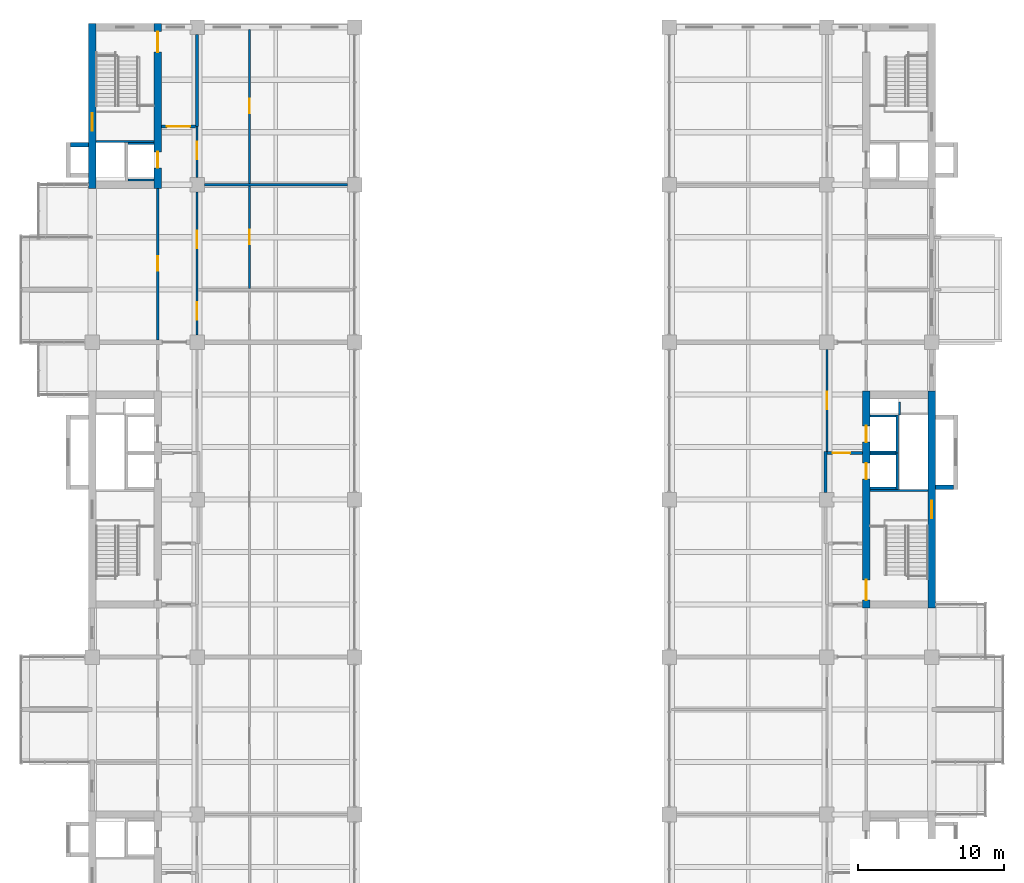
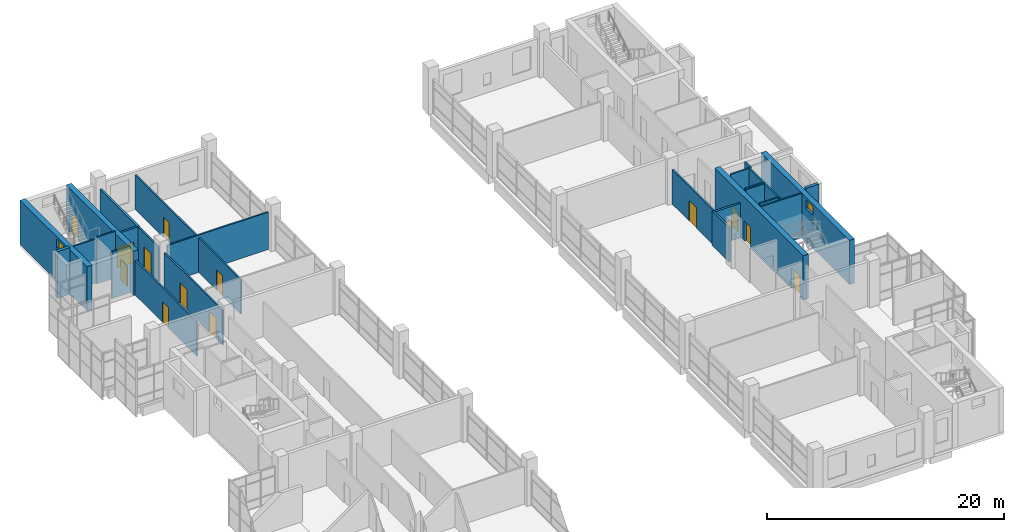
# One storey, part 24 of 30: 28 walls, 14 doors, 2 windows, 16 openings.
"""IFC4 building model written with IfcOpenShell, lengths in metres."""

import ifcopenshell
import ifcopenshell.guid

model = None  # the IFC model being written
_history = None  # IfcOwnerHistory: only IFC2X3 demands one
_inside = {}  # id of a spatial element -> (the spatial element, [elements in it])
_under = {}  # id of a project, library or spatial element -> (it, [spatial elements below it])
_declared = {}  # id of a project -> (the project, [libraries it declares])
_typed = {}  # id of a type object -> (the type object, [elements of that type])
_made_of = {}  # id of a material, layer set ... -> (it, [elements and type objects made of it])


def new_model(schema):
    """Start an empty IFC model of exactly this schema.

    Asked for "IFC4X3", IfcOpenShell would pick the latest addendum, in which some entities
    have other attributes; the version numbers below select the first issue.
    IFC2X3 requires an IfcOwnerHistory on every rooted entity: one is made here for all.
    """
    global model, _history
    if schema == "IFC4X3":
        model = ifcopenshell.file(schema_version=(4, 3, 0, 0))
    else:
        model = ifcopenshell.file(schema=schema)
    _inside.clear()
    _under.clear()
    _declared.clear()
    _typed.clear()
    _made_of.clear()
    _history = None
    if model.schema == "IFC2X3":
        org = make("IfcOrganization", Name="unknown")
        user = make(
            "IfcPersonAndOrganization",
            ThePerson=make("IfcPerson", FamilyName="unknown"),
            TheOrganization=org,
        )
        app = make(
            "IfcApplication",
            ApplicationDeveloper=org,
            Version="unknown",
            ApplicationFullName="unknown",
            ApplicationIdentifier="unknown",
        )
        _history = make(
            "IfcOwnerHistory",
            OwningUser=user,
            OwningApplication=app,
            ChangeAction="ADDED",
            CreationDate=0,
        )
    return model


def make(cls, **values):
    """One entity of the class cls with the attributes given. An attribute that is None is left unset."""
    return model.create_entity(
        cls, **{name: value for name, value in values.items() if value is not None}
    )


def rooted(cls, **values):
    """An entity with a GlobalId (a new one), such as an element, a storey or a relation."""
    return make(cls, GlobalId=ifcopenshell.guid.new(), OwnerHistory=_history, **values)


def si_unit(unit_type, name, prefix=None):
    """IfcSIUnit, for example si_unit("LENGTHUNIT", "METRE", prefix="MILLI")."""
    return make("IfcSIUnit", UnitType=unit_type, Prefix=prefix, Name=name)


def assignment(units):
    """IfcUnitAssignment: the units of a project."""
    return None if units is None else make("IfcUnitAssignment", Units=units)


def point(xyz):
    """IfcCartesianPoint."""
    return None if xyz is None else make("IfcCartesianPoint", Coordinates=xyz)


def direction(xyz):
    """IfcDirection."""
    return None if xyz is None else make("IfcDirection", DirectionRatios=xyz)


def frame(location, z_axis=None, x_axis=None):
    """IfcAxis2Placement3D, a coordinate frame: its origin and axes. An axis left out is left unset."""
    return make(
        "IfcAxis2Placement3D",
        Location=point(location),
        Axis=direction(z_axis),
        RefDirection=direction(x_axis),
    )


def frame_2d(location, x_axis=None):
    """IfcAxis2Placement2D, a coordinate frame in the plane: its origin and x axis."""
    return make(
        "IfcAxis2Placement2D", Location=point(location), RefDirection=direction(x_axis)
    )


def origin():
    """The frame at (0, 0, 0) with its axes left unset."""
    return frame((0.0, 0.0, 0.0))


def place(relative_to, where):
    """IfcLocalPlacement: puts the frame where relative to a parent placement (None: the world)."""
    return make(
        "IfcLocalPlacement", PlacementRelTo=relative_to, RelativePlacement=where
    )


def context(
    kind, dimensions, precision=None, world=None, true_north=None, identifier=None
):
    """IfcGeometricRepresentationContext, for example the 3D "Model" context."""
    return make(
        "IfcGeometricRepresentationContext",
        ContextIdentifier=identifier,
        ContextType=kind,
        CoordinateSpaceDimension=dimensions,
        Precision=precision,
        WorldCoordinateSystem=world,
        TrueNorth=true_north,
    )


def subcontext(parent, identifier, kind, view, scale=None):
    """IfcGeometricRepresentationSubContext, for example "Body" below "Model"."""
    return make(
        "IfcGeometricRepresentationSubContext",
        ContextIdentifier=identifier,
        ContextType=kind,
        ParentContext=parent,
        TargetScale=scale,
        TargetView=view,
    )


def project(units=None, contexts=None):
    """IfcProject with its units and contexts."""
    return rooted(
        "IfcProject",
        Name="project",
        RepresentationContexts=contexts,
        UnitsInContext=assignment(units),
    )


def spatial(cls, under=None, at=None, **own):
    """A site, building, storey or space (cls), placed at a placement, below another one or the project."""
    s = rooted(cls, ObjectPlacement=at, **own)
    if under is not None:
        _under.setdefault(under.id(), (under, []))[1].append(s)
    return s


def profile(cls, at=None, kind="AREA", **sizes):
    """A parametric profile (cls). Its sizes go by their IFC names, for example OverallWidth=200.0."""
    return make(cls, ProfileType=kind, Position=at, **sizes)


def rectangle(**sizes):
    """IfcRectangleProfileDef."""
    return profile("IfcRectangleProfileDef", **sizes)


def extrude(swept, where, along, depth):
    """IfcExtrudedAreaSolid: the profile swept, set in the frame where, extruded along a direction by depth."""
    return make(
        "IfcExtrudedAreaSolid",
        SweptArea=swept,
        Position=where,
        ExtrudedDirection=direction(along),
        Depth=depth,
    )


def shape(context_of_items, identifier, shape_type, items):
    """IfcShapeRepresentation: the items that make up one representation, for example the "Body"."""
    return make(
        "IfcShapeRepresentation",
        ContextOfItems=context_of_items,
        RepresentationIdentifier=identifier,
        RepresentationType=shape_type,
        Items=items,
    )


def material(Name=None, Category=None):
    """IfcMaterial."""
    return make("IfcMaterial", Name=Name, Category=Category)


def layer(
    of_material, thickness, ventilated=None, Name=None, Category=None, Priority=None
):
    """IfcMaterialLayer: one layer of a wall or slab, of a material (None: an air gap)."""
    return make(
        "IfcMaterialLayer",
        Material=of_material,
        LayerThickness=thickness,
        IsVentilated=ventilated,
        Name=Name,
        Category=Category,
        Priority=Priority,
    )


def layer_set(layers, Name=None):
    """IfcMaterialLayerSet."""
    return make("IfcMaterialLayerSet", MaterialLayers=layers, LayerSetName=Name)


def made_of(thing, what):
    """Note that an element or type object is made of a material, layer set ...; save() writes the relation."""
    if what is not None:
        _made_of.setdefault(what.id(), (what, []))[1].append(thing)
    return thing


def type_object(cls, material=None, **own):
    """A type object (cls), such as IfcWallType, which elements share."""
    return made_of(rooted(cls, **own), material)


def element(
    cls,
    number,
    at=None,
    inside=None,
    cuts=None,
    type_object=None,
    material=None,
    context=None,
    identifier="Body",
    shape_type=None,
    held_by="IfcProductDefinitionShape",
    body=None,
    shapes=None,
    **own,
):
    """One element of the class cls, such as IfcWall. Its Tag is "e" and its number.

    at: its placement. inside: the storey or other place that contains it. cuts: it is an
    opening in that element (IfcRelVoidsElement). A single representation is given by context,
    identifier, shape_type and body (its items); several are given by shapes. held_by: the class
    of the entity that holds the representations. save() writes the other relations.
    """
    e = rooted(cls, Tag="e%d" % number, ObjectPlacement=at, **own)
    if body is not None:
        shapes = [shape(context, identifier, shape_type, body)]
    if shapes is not None:
        e.Representation = make(held_by, Representations=shapes)
    if inside is not None:
        _inside.setdefault(inside.id(), (inside, []))[1].append(e)
    if cuts is not None:
        rooted(
            "IfcRelVoidsElement", RelatingBuildingElement=cuts, RelatedOpeningElement=e
        )
    if type_object is not None:
        _typed.setdefault(type_object.id(), (type_object, []))[1].append(e)
    return made_of(e, material)


def fill(opening, filler):
    """IfcRelFillsElement: the door or window that sits in an opening."""
    return rooted(
        "IfcRelFillsElement",
        RelatingOpeningElement=opening,
        RelatedBuildingElement=filler,
    )


def aggregate(whole, parts):
    """IfcRelAggregates: a whole, such as a stair, and the parts it consists of."""
    return rooted("IfcRelAggregates", RelatingObject=whole, RelatedObjects=parts)


def save(model, path):
    """Write the relations noted so far, then the file.

    IfcRelAggregates (storeys below a building ...), IfcRelContainedInSpatialStructure (elements
    in a storey), IfcRelDefinesByType, IfcRelAssociatesMaterial and IfcRelDeclares: one each for
    every whole, place, type object, material and project.
    """
    for whole, parts in _under.values():
        aggregate(whole, parts)
    for where, things in _inside.values():
        rooted(
            "IfcRelContainedInSpatialStructure",
            RelatedElements=things,
            RelatingStructure=where,
        )
    for kind, things in _typed.values():
        rooted("IfcRelDefinesByType", RelatedObjects=things, RelatingType=kind)
    for what, things in _made_of.values():
        rooted("IfcRelAssociatesMaterial", RelatedObjects=things, RelatingMaterial=what)
    for by, libraries in _declared.values():
        rooted("IfcRelDeclares", RelatingContext=by, RelatedDefinitions=libraries)
    model.write(path)


model = new_model("IFC4")

# Units and contexts
model_context = context("Model", 3, precision=1e-05, world=origin(), true_north=direction((0.0, 1.0)))
body_context = subcontext(model_context, "Body", "Model", "MODEL_VIEW")
ifc_project = project(units=[si_unit("LENGTHUNIT", "METRE"), si_unit("AREAUNIT", "SQUARE_METRE"), si_unit("VOLUMEUNIT", "CUBIC_METRE"), si_unit("PLANEANGLEUNIT", "RADIAN"), si_unit("MASSUNIT", "GRAM", prefix="KILO")], contexts=[model_context])

# Site, building, storey
site_placement = place(None, origin())
site = spatial("IfcSite", under=ifc_project, at=site_placement, CompositionType="ELEMENT")
building_placement = place(site_placement, origin())
building = spatial("IfcBuilding", under=site, at=building_placement, Name="Basin Gate Institute", CompositionType="ELEMENT")
storey_placement = place(building_placement, frame((0.0, 0.0, 36.60009765625)))
storey = spatial("IfcBuildingStorey", under=building, at=storey_placement, Name="L07", CompositionType="ELEMENT", Elevation=36.60009765625)

# Wall, opening, door
ifc_material_1 = material(Name="Fire-rated masonry", Category="masonry")
ifc_layer_1 = layer(ifc_material_1, 0.199951171875)
ifc_layer_set_1 = layer_set([ifc_layer_1], Name="Enclosure wall PW2 200 EI 60")
wall_type_1 = type_object("IfcWallType", Name="Enclosure wall PW2 200 EI 60", PredefinedType="PARTITIONING", material=ifc_layer_set_1)
wall_1_placement = place(storey_placement, frame((65.949951171875, 93.10009765625, 0.0), z_axis=(0.0, 0.0, 1.0), x_axis=(1.0, 0.0, 0.0)))
wall_1 = element("IfcWall", 1, at=wall_1_placement, inside=storey, type_object=wall_type_1, material=ifc_layer_set_1, Name="Smoke lobby enclosure wall PW2 L07", PredefinedType="PARTITIONING", context=body_context, shape_type="SweptSolid", body=[
    extrude(rectangle(XDim=2.35009765625, YDim=0.199951171875, at=frame_2d((1.175048828125, 0.0))), origin(), (0.0, 0.0, 1.0), 3.5498046875),
])
opening_1_placement = place(wall_1_placement, frame((0.375, 0.0, 0.0)))
opening_1 = element("IfcOpeningElement", 2, at=opening_1_placement, cuts=wall_1, Name="Opening DR365", PredefinedType="OPENING", context=body_context, shape_type="SweptSolid", body=[
    extrude(rectangle(XDim=1.60009765625, YDim=2.10009765625, at=frame_2d((0.800048828125, 1.050048828125))), frame((0.0, 0.10986328125, 0.0), z_axis=(0.0, -1.0, 0.0), x_axis=(1.0, 0.0, 0.0)), (0.0, 0.0, 1.0), 0.219970703125),
])
ifc_material_2 = material(Name="Steel fire door", Category="steel")
door_type_1 = type_object("IfcDoorType", Name="FD60 Smoke lobby door pair D8", OperationType="DOUBLE_DOOR_SINGLE_SWING", PredefinedType="DOOR", material=ifc_material_2)
door_1_placement = place(opening_1_placement, origin())
door_1 = element("IfcDoor", 3, at=door_1_placement, inside=storey, type_object=door_type_1, material=ifc_material_2, Name="Smoke lobby door SS3 L07", OperationType="DOUBLE_DOOR_SINGLE_SWING", OverallHeight=2.10009765625, OverallWidth=1.60009765625, PredefinedType="DOOR", context=body_context, shape_type="SweptSolid", body=[
    extrude(rectangle(XDim=1.60009765625, YDim=2.10009765625, at=frame_2d((0.800048828125, 1.050048828125))), frame((0.0, 0.02490234375, 0.0), z_axis=(0.0, -1.0, 0.0), x_axis=(1.0, 0.0, 0.0)), (0.0, 0.0, 1.0), 0.050048828125),
])
fill(opening_1, door_1)

# Wall
wall_2_placement = place(storey_placement, frame((68.39990234375, 93.10009765625, 0.0), z_axis=(0.0, 0.0, 1.0), x_axis=(0.0, 1.0, 0.0)))
element("IfcWall", 4, at=wall_2_placement, inside=storey, type_object=wall_type_1, material=ifc_layer_set_1, Name="Smoke lobby enclosure wall PW2 L07", PredefinedType="PARTITIONING", context=body_context, shape_type="SweptSolid", body=[
    extrude(rectangle(XDim=6.2998046875, YDim=0.199951171875, at=frame_2d((3.14990234375, 0.0))), origin(), (0.0, 0.0, 1.0), 3.5498046875),
])

# Wall, opening, door
wall_3_placement = place(storey_placement, frame((114.050048828125, 70.699951171875, 0.0), z_axis=(0.0, 0.0, 1.0), x_axis=(-1.0, 0.0, 0.0)))
wall_3 = element("IfcWall", 5, at=wall_3_placement, inside=storey, type_object=wall_type_1, material=ifc_layer_set_1, Name="Emergency lift lobby wall PW2 L07", PredefinedType="PARTITIONING", context=body_context, shape_type="SweptSolid", body=[
    extrude(rectangle(XDim=2.449951171875, YDim=0.199951171875, at=frame_2d((1.22509765625, 0.0))), origin(), (0.0, 0.0, 1.0), 3.5498046875),
])
opening_2_placement = place(wall_3_placement, frame((0.85009765625, 0.0, 0.0)))
opening_2 = element("IfcOpeningElement", 6, at=opening_2_placement, cuts=wall_3, Name="Opening DR337", PredefinedType="OPENING", context=body_context, shape_type="SweptSolid", body=[
    extrude(rectangle(XDim=1.199951171875, YDim=2.10009765625, at=frame_2d((0.60009765625, 1.050048828125))), frame((0.0, 0.10986328125, 0.0), z_axis=(0.0, -1.0, 0.0), x_axis=(1.0, 0.0, 0.0)), (0.0, 0.0, 1.0), 0.219970703125),
])
ifc_material_3 = material(Name="Steel fire door", Category="steel")
door_type_2 = type_object("IfcDoorType", Name="FD60 Emergency lift lobby door D9", OperationType="NOTDEFINED", PredefinedType="DOOR", material=ifc_material_3)
door_2_placement = place(opening_2_placement, origin())
door_2 = element("IfcDoor", 7, at=door_2_placement, inside=storey, type_object=door_type_2, material=ifc_material_3, Name="Emergency lift lobby door LF2 L07", OperationType="SINGLE_SWING_RIGHT", OverallHeight=2.10009765625, OverallWidth=1.199951171875, PredefinedType="DOOR", context=body_context, shape_type="SweptSolid", body=[
    extrude(rectangle(XDim=1.199951171875, YDim=2.10009765625, at=frame_2d((0.60009765625, 1.050048828125))), frame((0.0, 0.02490234375, 0.0), z_axis=(0.0, -1.0, 0.0), x_axis=(1.0, 0.0, 0.0)), (0.0, 0.0, 1.0), 0.050048828125),
])
fill(opening_2, door_2)

# Wall
wall_4_placement = place(storey_placement, frame((111.5, 68.0, 0.0), z_axis=(0.0, 0.0, 1.0), x_axis=(0.0, 1.0, 0.0)))
element("IfcWall", 8, at=wall_4_placement, inside=storey, type_object=wall_type_1, material=ifc_layer_set_1, Name="Emergency lift lobby wall PW2 L07", PredefinedType="PARTITIONING", context=body_context, shape_type="SweptSolid", body=[
    extrude(rectangle(XDim=2.800048828125, YDim=0.199951171875, at=frame_2d((1.39990234375, 0.0))), origin(), (0.0, 0.0, 1.0), 3.5498046875),
])

# Wall, opening, door
ifc_material_4 = material(Name="Gypsum board on steel stud", Category="steel")
ifc_layer_2 = layer(ifc_material_4, 0.14990234375)
ifc_layer_set_2 = layer_set([ifc_layer_2], Name="Gypsum board on steel stud")
wall_type_2 = type_object("IfcWallType", Name="Partition PW1 150 EI 60", PredefinedType="PARTITIONING", material=ifc_layer_set_2)
wall_5_placement = place(storey_placement, frame((65.699951171875, 78.449951171875, 0.0), z_axis=(0.0, 0.0, 1.0), x_axis=(0.0, 1.0, 0.0)))
wall_5 = element("IfcWall", 9, at=wall_5_placement, inside=storey, type_object=wall_type_2, material=ifc_layer_set_2, Name="Corridor wall PW1 L07", PredefinedType="PARTITIONING", context=body_context, shape_type="SweptSolid", body=[
    extrude(rectangle(XDim=10.400146484375, YDim=0.14990234375, at=frame_2d((5.2001953125, 0.0))), origin(), (0.0, 0.0, 1.0), 3.5498046875),
])
opening_3_placement = place(wall_5_placement, frame((4.75, 0.0, 0.0)))
opening_3 = element("IfcOpeningElement", 10, at=opening_3_placement, cuts=wall_5, Name="Opening DR358", PredefinedType="OPENING", context=body_context, shape_type="SweptSolid", body=[
    extrude(rectangle(XDim=1.0, YDim=2.10009765625, at=frame_2d((0.5, 1.050048828125))), frame((0.0, 0.0849609375, 0.0), z_axis=(0.0, -1.0, 0.0), x_axis=(1.0, 0.0, 0.0)), (0.0, 0.0, 1.0), 0.169921875),
])
ifc_material_5 = material(Name="Timber fire door", Category="wood")
door_type_3 = type_object("IfcDoorType", Name="FD30 Office door D1", OperationType="NOTDEFINED", PredefinedType="DOOR", material=ifc_material_5)
door_3_placement = place(opening_3_placement, origin())
door_3 = element("IfcDoor", 11, at=door_3_placement, inside=storey, type_object=door_type_3, material=ifc_material_5, Name="Door to Library Carrel Room 0705 L07", OperationType="SINGLE_SWING_LEFT", OverallHeight=2.10009765625, OverallWidth=1.0, PredefinedType="DOOR", context=body_context, shape_type="SweptSolid", body=[
    extrude(rectangle(XDim=1.0, YDim=2.10009765625, at=frame_2d((0.5, 1.050048828125))), frame((0.0, 0.02490234375, 0.0), z_axis=(0.0, -1.0, 0.0), x_axis=(1.0, 0.0, 0.0)), (0.0, 0.0, 1.0), 0.050048828125),
])
fill(opening_3, door_3)

# Wall, openings, doors
wall_6_placement = place(storey_placement, frame((68.39990234375, 78.800048828125, 0.0), z_axis=(0.0, 0.0, 1.0), x_axis=(0.0, 1.0, 0.0)))
wall_6 = element("IfcWall", 12, at=wall_6_placement, inside=storey, type_object=wall_type_2, material=ifc_layer_set_2, Name="Laboratory corridor wall PW1 L07", PredefinedType="PARTITIONING", context=body_context, shape_type="SweptSolid", body=[
    extrude(rectangle(XDim=9.800048828125, YDim=0.14990234375, at=frame_2d((4.89990234375, 0.0))), origin(), (0.0, 0.0, 1.0), 3.5498046875),
])
opening_4_placement = place(wall_6_placement, frame((1.050048828125, 0.0, 0.0)))
opening_4 = element("IfcOpeningElement", 13, at=opening_4_placement, cuts=wall_6, Name="Opening DR355", PredefinedType="OPENING", context=body_context, shape_type="SweptSolid", body=[
    extrude(rectangle(XDim=1.199951171875, YDim=2.10009765625, at=frame_2d((0.60009765625, 1.050048828125))), frame((0.0, 0.0849609375, 0.0), z_axis=(0.0, -1.0, 0.0), x_axis=(1.0, 0.0, 0.0)), (0.0, 0.0, 1.0), 0.169921875),
])
opening_5_placement = place(wall_6_placement, frame((5.949951171875, 0.0, 0.0)))
opening_5 = element("IfcOpeningElement", 14, at=opening_5_placement, cuts=wall_6, Name="Opening DR356", PredefinedType="OPENING", context=body_context, shape_type="SweptSolid", body=[
    extrude(rectangle(XDim=1.199951171875, YDim=2.10009765625, at=frame_2d((0.60009765625, 1.050048828125))), frame((0.0, 0.0849609375, 0.0), z_axis=(0.0, -1.0, 0.0), x_axis=(1.0, 0.0, 0.0)), (0.0, 0.0, 1.0), 0.169921875),
])
ifc_material_6 = material(Name="Timber fire door", Category="wood")
door_type_4 = type_object("IfcDoorType", Name="FD30 Laboratory door D2", OperationType="DOUBLE_DOOR_SINGLE_SWING", PredefinedType="DOOR", material=ifc_material_6)
door_4_placement = place(opening_4_placement, frame((1.199951171875, 0.0, 0.0), z_axis=(0.0, 0.0, 1.0), x_axis=(-1.0, 0.0, 0.0)))
door_4 = element("IfcDoor", 15, at=door_4_placement, inside=storey, type_object=door_type_4, material=ifc_material_6, Name="Door to Gowning Airlock 0720 L07", OperationType="DOUBLE_DOOR_SINGLE_SWING", OverallHeight=2.10009765625, OverallWidth=1.199951171875, PredefinedType="DOOR", context=body_context, shape_type="SweptSolid", body=[
    extrude(rectangle(XDim=1.199951171875, YDim=2.10009765625, at=frame_2d((0.60009765625, 1.050048828125))), frame((0.0, 0.02490234375, 0.0), z_axis=(0.0, -1.0, 0.0), x_axis=(1.0, 0.0, 0.0)), (0.0, 0.0, 1.0), 0.050048828125),
])
fill(opening_4, door_4)
door_5_placement = place(opening_5_placement, frame((1.199951171875, 0.0, 0.0), z_axis=(0.0, 0.0, 1.0), x_axis=(-1.0, 0.0, 0.0)))
door_5 = element("IfcDoor", 16, at=door_5_placement, inside=storey, type_object=door_type_4, material=ifc_material_6, Name="Door to Gowning Airlock 0722 L07", OperationType="DOUBLE_DOOR_SINGLE_SWING", OverallHeight=2.10009765625, OverallWidth=1.199951171875, PredefinedType="DOOR", context=body_context, shape_type="SweptSolid", body=[
    extrude(rectangle(XDim=1.199951171875, YDim=2.10009765625, at=frame_2d((0.60009765625, 1.050048828125))), frame((0.0, 0.02490234375, 0.0), z_axis=(0.0, -1.0, 0.0), x_axis=(1.0, 0.0, 0.0)), (0.0, 0.0, 1.0), 0.050048828125),
])
fill(opening_5, door_5)

# Wall, opening, door
wall_7_placement = place(storey_placement, frame((68.39990234375, 89.60009765625, 0.0), z_axis=(0.0, 0.0, 1.0), x_axis=(0.0, 1.0, 0.0)))
wall_7 = element("IfcWall", 17, at=wall_7_placement, inside=storey, type_object=wall_type_2, material=ifc_layer_set_2, Name="Laboratory corridor wall PW1 L07", PredefinedType="PARTITIONING", context=body_context, shape_type="SweptSolid", body=[
    extrude(rectangle(XDim=3.5, YDim=0.14990234375, at=frame_2d((1.75, 0.0))), origin(), (0.0, 0.0, 1.0), 3.5498046875),
])
opening_6_placement = place(wall_7_placement, frame((1.25, 0.0, 0.0)))
opening_6 = element("IfcOpeningElement", 18, at=opening_6_placement, cuts=wall_7, Name="Opening DR357", PredefinedType="OPENING", context=body_context, shape_type="SweptSolid", body=[
    extrude(rectangle(XDim=1.199951171875, YDim=2.10009765625, at=frame_2d((0.60009765625, 1.050048828125))), frame((0.0, 0.0849609375, 0.0), z_axis=(0.0, -1.0, 0.0), x_axis=(1.0, 0.0, 0.0)), (0.0, 0.0, 1.0), 0.169921875),
])
door_6_placement = place(opening_6_placement, frame((1.199951171875, 0.0, 0.0), z_axis=(0.0, 0.0, 1.0), x_axis=(-1.0, 0.0, 0.0)))
door_6 = element("IfcDoor", 19, at=door_6_placement, inside=storey, type_object=door_type_4, material=ifc_material_6, Name="Door to Gowning Airlock 0724 L07", OperationType="DOUBLE_DOOR_SINGLE_SWING", OverallHeight=2.10009765625, OverallWidth=1.199951171875, PredefinedType="DOOR", context=body_context, shape_type="SweptSolid", body=[
    extrude(rectangle(XDim=1.199951171875, YDim=2.10009765625, at=frame_2d((0.60009765625, 1.050048828125))), frame((0.0, 0.02490234375, 0.0), z_axis=(0.0, -1.0, 0.0), x_axis=(1.0, 0.0, 0.0)), (0.0, 0.0, 1.0), 0.050048828125),
])
fill(opening_6, door_6)

wall_8_placement = place(storey_placement, frame((72.0, 81.97509765625, 0.0), z_axis=(0.0, 0.0, 1.0), x_axis=(0.0, 1.0, 0.0)))
wall_8 = element("IfcWall", 20, at=wall_8_placement, inside=storey, type_object=wall_type_2, material=ifc_layer_set_2, Name="Clean room wall PW1 L07", PredefinedType="PARTITIONING", context=body_context, shape_type="SweptSolid", body=[
    extrude(rectangle(XDim=7.0498046875, YDim=0.14990234375, at=frame_2d((3.52490234375, 0.0))), origin(), (0.0, 0.0, 1.0), 3.5498046875),
])
opening_7_placement = place(wall_8_placement, frame((3.02490234375, 0.0, 0.0)))
opening_7 = element("IfcOpeningElement", 21, at=opening_7_placement, cuts=wall_8, Name="Opening DR348", PredefinedType="OPENING", context=body_context, shape_type="SweptSolid", body=[
    extrude(rectangle(XDim=1.0, YDim=2.10009765625, at=frame_2d((0.5, 1.050048828125))), frame((0.0, 0.0849609375, 0.0), z_axis=(0.0, -1.0, 0.0), x_axis=(1.0, 0.0, 0.0)), (0.0, 0.0, 1.0), 0.169921875),
])
ifc_material_7 = material(Name="Steel fire door", Category="steel")
door_type_5 = type_object("IfcDoorType", Name="FD30 Airlock door D5", OperationType="NOTDEFINED", PredefinedType="DOOR", material=ifc_material_7)
door_7_placement = place(opening_7_placement, frame((1.0, 0.0, 0.0), z_axis=(0.0, 0.0, 1.0), x_axis=(-1.0, 0.0, 0.0)))
door_7 = element("IfcDoor", 22, at=door_7_placement, inside=storey, type_object=door_type_5, material=ifc_material_7, Name="Clean room entry door Clean Room ISO 7 0722 L07", OperationType="SINGLE_SWING_RIGHT", OverallHeight=2.10009765625, OverallWidth=1.0, PredefinedType="DOOR", context=body_context, shape_type="SweptSolid", body=[
    extrude(rectangle(XDim=1.0, YDim=2.10009765625, at=frame_2d((0.5, 1.050048828125))), frame((0.0, 0.02490234375, 0.0), z_axis=(0.0, -1.0, 0.0), x_axis=(1.0, 0.0, 0.0)), (0.0, 0.0, 1.0), 0.050048828125),
])
fill(opening_7, door_7)

wall_9_placement = place(storey_placement, frame((72.0, 89.175048828125, 0.0), z_axis=(0.0, 0.0, 1.0), x_axis=(0.0, 1.0, 0.0)))
wall_9 = element("IfcWall", 23, at=wall_9_placement, inside=storey, type_object=wall_type_2, material=ifc_layer_set_2, Name="Clean room wall PW1 L07", PredefinedType="PARTITIONING", context=body_context, shape_type="SweptSolid", body=[
    extrude(rectangle(XDim=10.574951171875, YDim=0.14990234375, at=frame_2d((5.28759765625, 0.0))), origin(), (0.0, 0.0, 1.0), 3.5498046875),
])
opening_8_placement = place(wall_9_placement, frame((4.824951171875, 0.0, 0.0)))
opening_8 = element("IfcOpeningElement", 24, at=opening_8_placement, cuts=wall_9, Name="Opening DR349", PredefinedType="OPENING", context=body_context, shape_type="SweptSolid", body=[
    extrude(rectangle(XDim=1.0, YDim=2.10009765625, at=frame_2d((0.5, 1.050048828125))), frame((0.0, 0.0849609375, 0.0), z_axis=(0.0, -1.0, 0.0), x_axis=(1.0, 0.0, 0.0)), (0.0, 0.0, 1.0), 0.169921875),
])
door_8_placement = place(opening_8_placement, frame((1.0, 0.0, 0.0), z_axis=(0.0, 0.0, 1.0), x_axis=(-1.0, 0.0, 0.0)))
door_8 = element("IfcDoor", 25, at=door_8_placement, inside=storey, type_object=door_type_5, material=ifc_material_7, Name="Clean room entry door Clean Room ISO 7 0724 L07", OperationType="SINGLE_SWING_RIGHT", OverallHeight=2.10009765625, OverallWidth=1.0, PredefinedType="DOOR", context=body_context, shape_type="SweptSolid", body=[
    extrude(rectangle(XDim=1.0, YDim=2.10009765625, at=frame_2d((0.5, 1.050048828125))), frame((0.0, 0.02490234375, 0.0), z_axis=(0.0, -1.0, 0.0), x_axis=(1.0, 0.0, 0.0)), (0.0, 0.0, 1.0), 0.050048828125),
])
fill(opening_8, door_8)

# Wall
wall_10_placement = place(storey_placement, frame((68.89990234375, 89.10009765625, 0.0), z_axis=(0.0, 0.0, 1.0), x_axis=(1.0, 0.0, 0.0)))
element("IfcWall", 26, at=wall_10_placement, inside=storey, type_object=wall_type_2, material=ifc_layer_set_2, Name="Clean room wall PW1 L07", PredefinedType="PARTITIONING", context=body_context, shape_type="SweptSolid", body=[
    extrude(rectangle(XDim=9.800048828125, YDim=0.14990234375, at=frame_2d((4.89990234375, 0.0))), origin(), (0.0, 0.0, 1.0), 3.849853515625),
])

# Wall, opening, door
wall_11_placement = place(storey_placement, frame((111.60009765625, 70.800048828125, 0.0), z_axis=(0.0, 0.0, 1.0), x_axis=(0.0, 1.0, 0.0)))
wall_11 = element("IfcWall", 27, at=wall_11_placement, inside=storey, type_object=wall_type_2, material=ifc_layer_set_2, Name="Laboratory corridor wall PW1 L07", PredefinedType="PARTITIONING", context=body_context, shape_type="SweptSolid", body=[
    extrude(rectangle(XDim=7.0, YDim=0.14990234375, at=frame_2d((3.5, 0.0))), origin(), (0.0, 0.0, 1.0), 3.5498046875),
])
opening_9_placement = place(wall_11_placement, frame((2.89990234375, 0.0, 0.0)))
opening_9 = element("IfcOpeningElement", 28, at=opening_9_placement, cuts=wall_11, Name="Opening DR334", PredefinedType="OPENING", context=body_context, shape_type="SweptSolid", body=[
    extrude(rectangle(XDim=1.199951171875, YDim=2.10009765625, at=frame_2d((0.60009765625, 1.050048828125))), frame((0.0, 0.0849609375, 0.0), z_axis=(0.0, -1.0, 0.0), x_axis=(1.0, 0.0, 0.0)), (0.0, 0.0, 1.0), 0.169921875),
])
door_9_placement = place(opening_9_placement, origin())
door_9 = element("IfcDoor", 29, at=door_9_placement, inside=storey, type_object=door_type_4, material=ifc_material_6, Name="Door to Write-up Office 0768 L07", OperationType="DOUBLE_DOOR_SINGLE_SWING", OverallHeight=2.10009765625, OverallWidth=1.199951171875, PredefinedType="DOOR", context=body_context, shape_type="SweptSolid", body=[
    extrude(rectangle(XDim=1.199951171875, YDim=2.10009765625, at=frame_2d((0.60009765625, 1.050048828125))), frame((0.0, 0.02490234375, 0.0), z_axis=(0.0, -1.0, 0.0), x_axis=(1.0, 0.0, 0.0)), (0.0, 0.0, 1.0), 0.050048828125),
])
fill(opening_9, door_9)

# Walls
ifc_material_8 = material(Name="Concrete 40 MPa", Category="concrete")
ifc_layer_3 = layer(ifc_material_8, 0.14990234375)
ifc_layer_set_3 = layer_set([ifc_layer_3], Name="Concrete 40 MPa")
wall_type_3 = type_object("IfcWallType", Name="Wall LS1 lift shaft enclosure R120", PredefinedType="SOLIDWALL", material=ifc_layer_set_3)
for number, where, z_axis, x_axis, name in (
    (30, (63.64990234375, 91.925048828125, 0.0), (0.0, 0.0, 1.0), (1.0, 0.0, 0.0), "Lift shaft enclosure LP3 L07 RL"),
    (31, (63.64990234375, 89.425048828125, 0.0), (0.0, 0.0, 1.0), (1.0, 0.0, 0.0), "Lift shaft enclosure LP3 L07 RH"),
):
    element("IfcWall", number, at=place(storey_placement, frame(where, z_axis=z_axis, x_axis=x_axis)), inside=storey, type_object=wall_type_3, material=ifc_layer_set_3, Name=name, PredefinedType="SOLIDWALL", context=body_context, shape_type="SweptSolid", body=[
        extrude(rectangle(XDim=1.800048828125, YDim=0.14990234375, at=frame_2d((0.89990234375, 0.0))), origin(), (0.0, 0.0, 1.0), 4.7998046875),
    ])
wall_12_placement = place(storey_placement, frame((116.425048828125, 68.199951171875, 0.0), z_axis=(0.0, 0.0, 1.0), x_axis=(0.0, 1.0, 0.0)))
element("IfcWall", 32, at=wall_12_placement, inside=storey, type_object=wall_type_3, material=ifc_layer_set_3, Name="Lift shaft enclosure LF2 L07 UL", PredefinedType="SOLIDWALL", context=body_context, shape_type="SweptSolid", body=[
    extrude(rectangle(XDim=2.5, YDim=0.14990234375, at=frame_2d((1.25, 0.0))), origin(), (0.0, 0.0, 1.0), 4.7998046875),
])
for number, where, z_axis, x_axis, name in (
    (33, (116.35009765625, 68.27490234375, 0.0), (0.0, 0.0, 1.0), (-1.0, 0.0, 0.0), "Lift shaft enclosure LF2 L07 RL"),
    (34, (116.35009765625, 70.625, 0.0), (0.0, 0.0, 1.0), (-1.0, 0.0, 0.0), "Lift shaft enclosure LF2 L07 RH"),
):
    element("IfcWall", number, at=place(storey_placement, frame(where, z_axis=z_axis, x_axis=x_axis)), inside=storey, type_object=wall_type_3, material=ifc_layer_set_3, Name=name, PredefinedType="SOLIDWALL", context=body_context, shape_type="SweptSolid", body=[
        extrude(rectangle(XDim=1.800048828125, YDim=0.14990234375, at=frame_2d((0.89990234375, 0.0))), origin(), (0.0, 0.0, 1.0), 4.7998046875),
    ])
wall_13_placement = place(storey_placement, frame((116.425048828125, 70.699951171875, 0.0), z_axis=(0.0, 0.0, 1.0), x_axis=(0.0, 1.0, 0.0)))
element("IfcWall", 35, at=wall_13_placement, inside=storey, type_object=wall_type_3, material=ifc_layer_set_3, Name="Lift shaft enclosure LP5 L07 UL", PredefinedType="SOLIDWALL", context=body_context, shape_type="SweptSolid", body=[
    extrude(rectangle(XDim=2.60009765625, YDim=0.14990234375, at=frame_2d((1.300048828125, 0.0))), origin(), (0.0, 0.0, 1.0), 4.7998046875),
])
for number, where, z_axis, x_axis, name in (
    (36, (116.35009765625, 70.77490234375, 0.0), (0.0, 0.0, 1.0), (-1.0, 0.0, 0.0), "Lift shaft enclosure LP5 L07 RL"),
    (37, (116.35009765625, 73.22509765625, 0.0), (0.0, 0.0, 1.0), (-1.0, 0.0, 0.0), "Lift shaft enclosure LP5 L07 RH"),
):
    element("IfcWall", number, at=place(storey_placement, frame(where, z_axis=z_axis, x_axis=x_axis)), inside=storey, type_object=wall_type_3, material=ifc_layer_set_3, Name=name, PredefinedType="SOLIDWALL", context=body_context, shape_type="SweptSolid", body=[
        extrude(rectangle(XDim=1.800048828125, YDim=0.14990234375, at=frame_2d((0.89990234375, 0.0))), origin(), (0.0, 0.0, 1.0), 4.7998046875),
    ])
ifc_material_9 = material(Name="Concrete 40 MPa", Category="concrete")
ifc_layer_4 = layer(ifc_material_9, 0.14990234375)
ifc_layer_set_4 = layer_set([ifc_layer_4], Name="Concrete 40 MPa")
wall_type_4 = type_object("IfcWallType", Name="Wall RS1 riser shaft enclosure R120", PredefinedType="SOLIDWALL", material=ifc_layer_set_4)
wall_14_placement = place(storey_placement, frame((116.574951171875, 73.300048828125, 0.0), z_axis=(0.0, 0.0, 1.0), x_axis=(0.0, 1.0, 0.0)))
element("IfcWall", 38, at=wall_14_placement, inside=storey, type_object=wall_type_4, material=ifc_layer_set_4, Name="Riser shaft enclosure EM L07 W", PredefinedType="SOLIDWALL", context=body_context, shape_type="SweptSolid", body=[
    extrude(rectangle(XDim=0.89990234375, YDim=0.14990234375, at=frame_2d((0.449951171875, 0.0))), origin(), (0.0, 0.0, 1.0), 4.7998046875),
])
ifc_material_10 = material(Name="Concrete 40 MPa", Category="concrete")
ifc_layer_5 = layer(ifc_material_10, 0.14990234375)
ifc_layer_set_5 = layer_set([ifc_layer_5], Name="Concrete 40 MPa")
wall_type_5 = type_object("IfcWallType", Name="Wall SE1 stair enclosure R120", PredefinedType="SOLIDWALL", material=ifc_layer_set_5)
for number, where, z_axis, x_axis, name in (
    (39, (61.449951171875, 92.074951171875, 0.0), (0.0, 0.0, 1.0), (1.0, 0.0, 0.0), "Stair enclosure wall ST-WN L07"),
    (40, (118.550048828125, 68.125, 0.0), (0.0, 0.0, 1.0), (-1.0, 0.0, 0.0), "Stair enclosure wall ST-EM L07"),
):
    element("IfcWall", number, at=place(storey_placement, frame(where, z_axis=z_axis, x_axis=x_axis)), inside=storey, type_object=wall_type_5, material=ifc_layer_set_5, Name=name, PredefinedType="SOLIDWALL", context=body_context, shape_type="SweptSolid", body=[
        extrude(rectangle(XDim=4.0, YDim=0.14990234375, at=frame_2d((2.0, 0.0))), origin(), (0.0, 0.0, 1.0), 4.5498046875),
    ])
ifc_material_11 = material(Name="Concrete 50 MPa", Category="concrete")
ifc_layer_6 = layer(ifc_material_11, 0.300048828125)
ifc_layer_set_6 = layer_set([ifc_layer_6], Name="Concrete 50 MPa")
wall_type_6 = type_object("IfcWallType", Name="Wall SK1 R120", PredefinedType="SHEAR", material=ifc_layer_set_6)
for number, where, z_axis, x_axis, name in (
    (41, (60.949951171875, 91.85009765625, 0.0), (0.0, 0.0, 1.0), (-1.0, 0.0, 0.0), "Spine riser stack wall SK1 WN B L07"),
    (42, (119.050048828125, 68.35009765625, 0.0), (0.0, 0.0, 1.0), (1.0, 0.0, 0.0), "Spine riser stack wall SK1 EM A L07"),
):
    element("IfcWall", number, at=place(storey_placement, frame(where, z_axis=z_axis, x_axis=x_axis)), inside=storey, type_object=wall_type_6, material=ifc_layer_set_6, Name=name, PredefinedType="SHEAR", context=body_context, shape_type="SweptSolid", body=[
        extrude(rectangle(XDim=1.25, YDim=0.300048828125, at=frame_2d((0.625, 0.0))), origin(), (0.0, 0.0, 1.0), 4.7998046875),
    ])

# Wall, opening, window
ifc_material_12 = material(Name="Concrete 60 MPa", Category="concrete")
ifc_layer_7 = layer(ifc_material_12, 0.5)
ifc_layer_set_7 = layer_set([ifc_layer_7], Name="Concrete 60 MPa")
wall_type_7 = type_object("IfcWallType", Name="Wall SW1 R120", PredefinedType="SHEAR", material=ifc_layer_set_7)
wall_15_placement = place(storey_placement, frame((61.199951171875, 88.85009765625, 0.0), z_axis=(0.0, 0.0, 1.0), x_axis=(0.0, 1.0, 0.0)))
wall_15 = element("IfcWall", 43, at=wall_15_placement, inside=storey, type_object=wall_type_7, material=ifc_layer_set_7, Name="WALL/L07/WN/L", PredefinedType="SHEAR", context=body_context, shape_type="SweptSolid", body=[
    extrude(rectangle(XDim=11.2998046875, YDim=0.5, at=frame_2d((5.64990234375, 0.0))), origin(), (0.0, 0.0, 1.0), 4.5498046875),
])
opening_10_placement = place(wall_15_placement, frame((3.93994140625, 0.0, 3.39990234375)))
opening_10 = element("IfcOpeningElement", 44, at=opening_10_placement, cuts=wall_15, Name="Opening WT2", PredefinedType="OPENING", context=body_context, shape_type="SweptSolid", body=[
    extrude(rectangle(XDim=1.199951171875, YDim=0.89990234375, at=frame_2d((0.60009765625, 0.449951171875))), frame((0.0, 0.260009765625, 0.0), z_axis=(0.0, -1.0, 0.0), x_axis=(1.0, 0.0, 0.0)), (0.0, 0.0, 1.0), 0.52001953125),
])
ifc_material_13 = material(Name="Fire-resistant glazing in steel-free frame", Category="steel")
window_type = type_object("IfcWindowType", Name="Rated stair window EI 120 WT2", PartitioningType="SINGLE_PANEL", PredefinedType="WINDOW", material=ifc_material_13)
window_1_placement = place(opening_10_placement, origin())
window_1 = element("IfcWindow", 45, at=window_1_placement, inside=storey, type_object=window_type, material=ifc_material_13, Name="Rated stair window EI 120 WN landing L07", OverallHeight=0.89990234375, OverallWidth=1.199951171875, PartitioningType="SINGLE_PANEL", PredefinedType="WINDOW", context=body_context, shape_type="SweptSolid", body=[
    extrude(rectangle(XDim=1.199951171875, YDim=0.89990234375, at=frame_2d((0.60009765625, 0.449951171875))), frame((0.0, 0.030029296875, 0.0), z_axis=(0.0, -1.0, 0.0), x_axis=(1.0, 0.0, 0.0)), (0.0, 0.0, 1.0), 0.06005859375),
])
fill(opening_10, window_1)

# Wall, openings, doors
wall_16_placement = place(storey_placement, frame((65.699951171875, 88.85009765625, 0.0), z_axis=(0.0, 0.0, 1.0), x_axis=(0.0, 1.0, 0.0)))
wall_16 = element("IfcWall", 46, at=wall_16_placement, inside=storey, type_object=wall_type_7, material=ifc_layer_set_7, Name="WALL/L07/WN/C", PredefinedType="SHEAR", context=body_context, shape_type="SweptSolid", body=[
    extrude(rectangle(XDim=11.2998046875, YDim=0.5, at=frame_2d((5.64990234375, 0.0))), origin(), (0.0, 0.0, 1.0), 4.5498046875),
])
opening_11_placement = place(wall_16_placement, frame((9.35009765625, 0.0, 0.0)))
opening_11 = element("IfcOpeningElement", 47, at=opening_11_placement, cuts=wall_16, Name="Opening DS045", PredefinedType="OPENING", context=body_context, shape_type="SweptSolid", body=[
    extrude(rectangle(XDim=1.39990234375, YDim=2.10009765625, at=frame_2d((0.699951171875, 1.050048828125))), frame((0.0, 0.260009765625, 0.0), z_axis=(0.0, -1.0, 0.0), x_axis=(1.0, 0.0, 0.0)), (0.0, 0.0, 1.0), 0.52001953125),
])
opening_12_placement = place(wall_16_placement, frame((1.39990234375, 0.0, 0.0)))
opening_12 = element("IfcOpeningElement", 48, at=opening_12_placement, cuts=wall_16, Name="Opening LD062", PredefinedType="OPENING", context=body_context, shape_type="SweptSolid", body=[
    extrude(rectangle(XDim=1.10009765625, YDim=2.10009765625, at=frame_2d((0.550048828125, 1.050048828125))), frame((0.0, 0.260009765625, 0.0), z_axis=(0.0, -1.0, 0.0), x_axis=(1.0, 0.0, 0.0)), (0.0, 0.0, 1.0), 0.52001953125),
])
ifc_material_14 = material(Name="Steel fire door", Category="steel")
door_type_6 = type_object("IfcDoorType", Name="FD30 Stair enclosure door DS", OperationType="DOUBLE_DOOR_SINGLE_SWING", PredefinedType="DOOR", material=ifc_material_14)
door_10_placement = place(opening_11_placement, origin())
door_10 = element("IfcDoor", 49, at=door_10_placement, inside=storey, type_object=door_type_6, material=ifc_material_14, Name="Stair enclosure door ST-WN L07", OperationType="DOUBLE_DOOR_SINGLE_SWING", OverallHeight=2.10009765625, OverallWidth=1.39990234375, PredefinedType="DOOR", context=body_context, shape_type="SweptSolid", body=[
    extrude(rectangle(XDim=1.39990234375, YDim=2.10009765625, at=frame_2d((0.699951171875, 1.050048828125))), frame((0.0, 0.02490234375, 0.0), z_axis=(0.0, -1.0, 0.0), x_axis=(1.0, 0.0, 0.0)), (0.0, 0.0, 1.0), 0.050048828125),
])
fill(opening_11, door_10)
ifc_material_15 = material(Name="Stainless steel", Category="steel")
door_type_7 = type_object("IfcDoorType", Name="FD60 Lift landing door LD", OperationType="SLIDING_TO_LEFT", PredefinedType="DOOR", material=ifc_material_15)
door_11_placement = place(opening_12_placement, origin())
door_11 = element("IfcDoor", 50, at=door_11_placement, inside=storey, type_object=door_type_7, material=ifc_material_15, Name="Lift landing door LP3 L07", OperationType="SLIDING_TO_LEFT", OverallHeight=2.10009765625, OverallWidth=1.10009765625, PredefinedType="DOOR", context=body_context, shape_type="SweptSolid", body=[
    extrude(rectangle(XDim=1.10009765625, YDim=2.10009765625, at=frame_2d((0.550048828125, 1.050048828125))), frame((0.0, 0.02490234375, 0.0), z_axis=(0.0, -1.0, 0.0), x_axis=(1.0, 0.0, 0.0)), (0.0, 0.0, 1.0), 0.050048828125),
])
fill(opening_12, door_11)

# Wall, opening, window
wall_17_placement = place(storey_placement, frame((118.800048828125, 60.050048828125, 0.0), z_axis=(0.0, 0.0, 1.0), x_axis=(0.0, 1.0, 0.0)))
wall_17 = element("IfcWall", 51, at=wall_17_placement, inside=storey, type_object=wall_type_7, material=ifc_layer_set_7, Name="WALL/L07/EM/L", PredefinedType="SHEAR", context=body_context, shape_type="SweptSolid", body=[
    extrude(rectangle(XDim=14.89990234375, YDim=0.5, at=frame_2d((7.449951171875, 0.0))), origin(), (0.0, 0.0, 1.0), 4.5498046875),
])
opening_13_placement = place(wall_17_placement, frame((6.159912109375, 0.0, 3.39990234375)))
opening_13 = element("IfcOpeningElement", 52, at=opening_13_placement, cuts=wall_17, Name="Opening WT2", PredefinedType="OPENING", context=body_context, shape_type="SweptSolid", body=[
    extrude(rectangle(XDim=1.199951171875, YDim=0.89990234375, at=frame_2d((0.60009765625, 0.449951171875))), frame((0.0, 0.260009765625, 0.0), z_axis=(0.0, -1.0, 0.0), x_axis=(1.0, 0.0, 0.0)), (0.0, 0.0, 1.0), 0.52001953125),
])
window_2_placement = place(opening_13_placement, origin())
window_2 = element("IfcWindow", 53, at=window_2_placement, inside=storey, type_object=window_type, material=ifc_material_13, Name="Rated stair window EI 120 EM landing L07", OverallHeight=0.89990234375, OverallWidth=1.199951171875, PartitioningType="SINGLE_PANEL", PredefinedType="WINDOW", context=body_context, shape_type="SweptSolid", body=[
    extrude(rectangle(XDim=1.199951171875, YDim=0.89990234375, at=frame_2d((0.60009765625, 0.449951171875))), frame((0.0, 0.030029296875, 0.0), z_axis=(0.0, -1.0, 0.0), x_axis=(1.0, 0.0, 0.0)), (0.0, 0.0, 1.0), 0.06005859375),
])
fill(opening_13, window_2)

# Wall, openings, doors
wall_18_placement = place(storey_placement, frame((114.300048828125, 60.050048828125, 0.0), z_axis=(0.0, 0.0, 1.0), x_axis=(0.0, 1.0, 0.0)))
wall_18 = element("IfcWall", 54, at=wall_18_placement, inside=storey, type_object=wall_type_7, material=ifc_layer_set_7, Name="WALL/L07/EM/C", PredefinedType="SHEAR", context=body_context, shape_type="SweptSolid", body=[
    extrude(rectangle(XDim=14.89990234375, YDim=0.5, at=frame_2d((7.449951171875, 0.0))), origin(), (0.0, 0.0, 1.0), 4.5498046875),
])
opening_14_placement = place(wall_18_placement, frame((0.550048828125, 0.0, 0.0)))
opening_14 = element("IfcOpeningElement", 55, at=opening_14_placement, cuts=wall_18, Name="Opening DS047", PredefinedType="OPENING", context=body_context, shape_type="SweptSolid", body=[
    extrude(rectangle(XDim=1.39990234375, YDim=2.10009765625, at=frame_2d((0.699951171875, 1.050048828125))), frame((0.0, 0.260009765625, 0.0), z_axis=(0.0, -1.0, 0.0), x_axis=(1.0, 0.0, 0.0)), (0.0, 0.0, 1.0), 0.52001953125),
])
opening_15_placement = place(wall_18_placement, frame((8.85009765625, 0.0, 0.0)))
opening_15 = element("IfcOpeningElement", 56, at=opening_15_placement, cuts=wall_18, Name="Opening LD090", PredefinedType="OPENING", context=body_context, shape_type="SweptSolid", body=[
    extrude(rectangle(XDim=1.10009765625, YDim=2.10009765625, at=frame_2d((0.550048828125, 1.050048828125))), frame((0.0, 0.260009765625, 0.0), z_axis=(0.0, -1.0, 0.0), x_axis=(1.0, 0.0, 0.0)), (0.0, 0.0, 1.0), 0.52001953125),
])
opening_16_placement = place(wall_18_placement, frame((11.39990234375, 0.0, 0.0)))
opening_16 = element("IfcOpeningElement", 57, at=opening_16_placement, cuts=wall_18, Name="Opening LD102", PredefinedType="OPENING", context=body_context, shape_type="SweptSolid", body=[
    extrude(rectangle(XDim=1.10009765625, YDim=2.10009765625, at=frame_2d((0.550048828125, 1.050048828125))), frame((0.0, 0.260009765625, 0.0), z_axis=(0.0, -1.0, 0.0), x_axis=(1.0, 0.0, 0.0)), (0.0, 0.0, 1.0), 0.52001953125),
])
door_12_placement = place(opening_14_placement, frame((1.39990234375, 0.0, 0.0), z_axis=(0.0, 0.0, 1.0), x_axis=(-1.0, 0.0, 0.0)))
door_12 = element("IfcDoor", 58, at=door_12_placement, inside=storey, type_object=door_type_6, material=ifc_material_14, Name="Stair enclosure door ST-EM L07", OperationType="DOUBLE_DOOR_SINGLE_SWING", OverallHeight=2.10009765625, OverallWidth=1.39990234375, PredefinedType="DOOR", context=body_context, shape_type="SweptSolid", body=[
    extrude(rectangle(XDim=1.39990234375, YDim=2.10009765625, at=frame_2d((0.699951171875, 1.050048828125))), frame((0.0, 0.02490234375, 0.0), z_axis=(0.0, -1.0, 0.0), x_axis=(1.0, 0.0, 0.0)), (0.0, 0.0, 1.0), 0.050048828125),
])
fill(opening_14, door_12)
door_13_placement = place(opening_15_placement, origin())
door_13 = element("IfcDoor", 59, at=door_13_placement, inside=storey, type_object=door_type_7, material=ifc_material_15, Name="Lift landing door LF2 L07", OperationType="SLIDING_TO_LEFT", OverallHeight=2.10009765625, OverallWidth=1.10009765625, PredefinedType="DOOR", context=body_context, shape_type="SweptSolid", body=[
    extrude(rectangle(XDim=1.10009765625, YDim=2.10009765625, at=frame_2d((0.550048828125, 1.050048828125))), frame((0.0, 0.02490234375, 0.0), z_axis=(0.0, -1.0, 0.0), x_axis=(1.0, 0.0, 0.0)), (0.0, 0.0, 1.0), 0.050048828125),
])
fill(opening_15, door_13)
door_14_placement = place(opening_16_placement, origin())
door_14 = element("IfcDoor", 60, at=door_14_placement, inside=storey, type_object=door_type_7, material=ifc_material_15, Name="Lift landing door LP5 L07", OperationType="SLIDING_TO_LEFT", OverallHeight=2.10009765625, OverallWidth=1.10009765625, PredefinedType="DOOR", context=body_context, shape_type="SweptSolid", body=[
    extrude(rectangle(XDim=1.10009765625, YDim=2.10009765625, at=frame_2d((0.550048828125, 1.050048828125))), frame((0.0, 0.02490234375, 0.0), z_axis=(0.0, -1.0, 0.0), x_axis=(1.0, 0.0, 0.0)), (0.0, 0.0, 1.0), 0.050048828125),
])
fill(opening_16, door_14)

save(model, "model.ifc")
